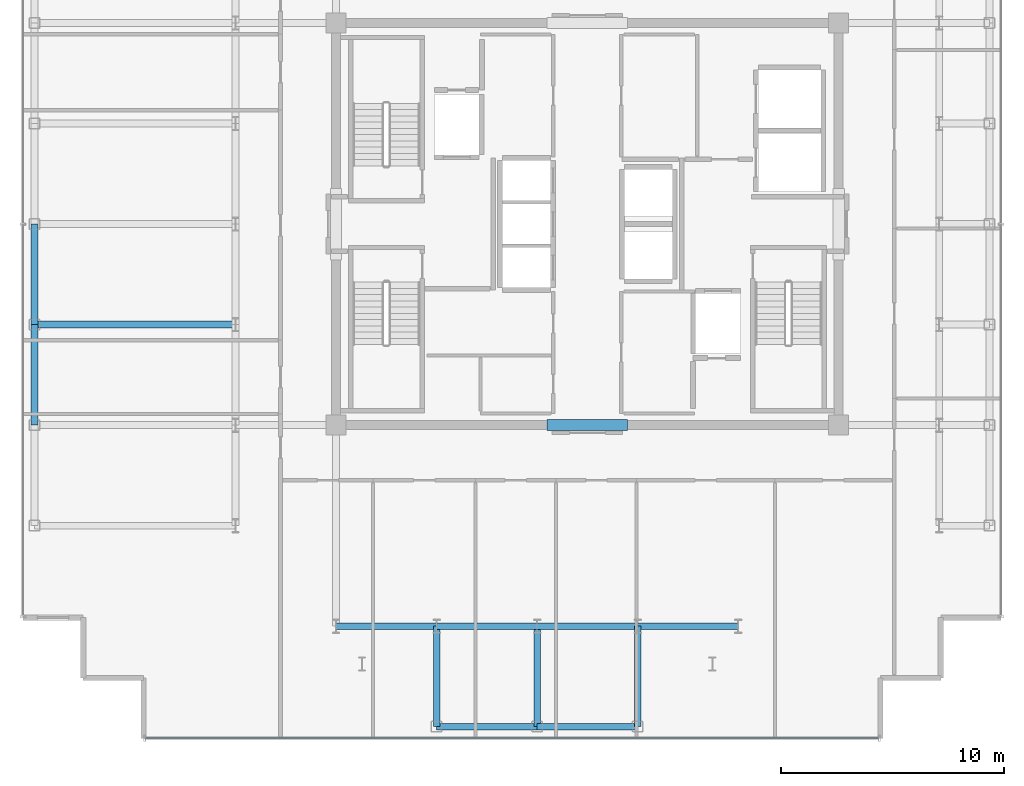
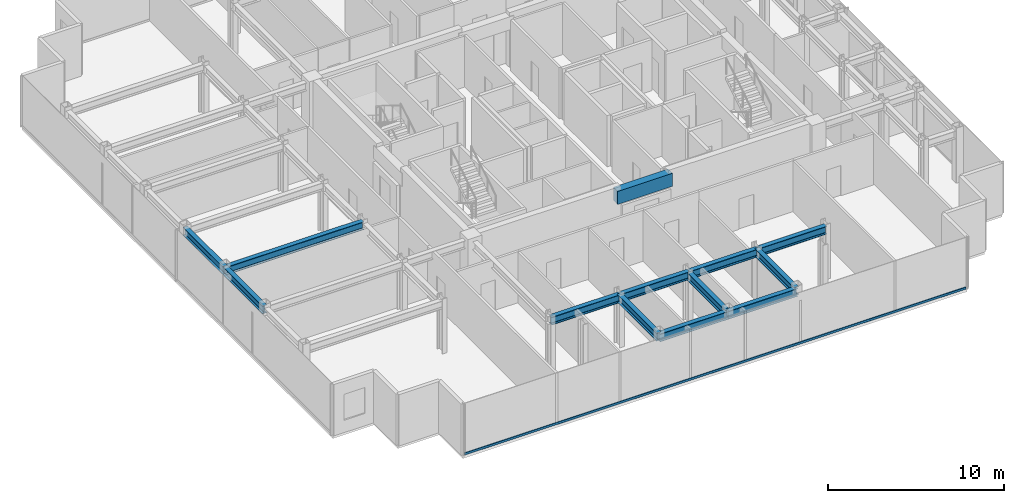
# One storey, part 3 of 17: 13 beams, 1 member, 1 element without a shape of its own.
"""IFC4 building model written with IfcOpenShell, lengths in metres."""

from ifc_helpers import new_model, si_unit, direction, frame, origin, origin_2d, place, context, subcontext, project, spatial, rectangle, hollow_rectangle, i_section, extrude, source, transform, mapped, material, layer, layer_set, material_profile, profile_set, type_object, element, aggregate, save


model = new_model("IFC4")

# Units and contexts
model_context = context("Model", 3, precision=1e-05, world=origin(), true_north=direction((0.0, 1.0)))
body_context = subcontext(model_context, "Body", "Model", "MODEL_VIEW")
ifc_project = project(units=[si_unit("LENGTHUNIT", "METRE"), si_unit("AREAUNIT", "SQUARE_METRE"), si_unit("VOLUMEUNIT", "CUBIC_METRE"), si_unit("PLANEANGLEUNIT", "RADIAN"), si_unit("MASSUNIT", "GRAM", prefix="KILO")], contexts=[model_context])

# Site, building, storey
site_placement = place(None, origin())
site = spatial("IfcSite", under=ifc_project, at=site_placement, CompositionType="ELEMENT")
building_placement = place(site_placement, origin())
building = spatial("IfcBuilding", under=site, at=building_placement, Name="Nefas-Gora Pilgrimage Tower", CompositionType="ELEMENT")
storey_placement = place(building_placement, frame((0.0, 0.0, 341.39990234375)))
storey = spatial("IfcBuildingStorey", under=building, at=storey_placement, Name="L86", CompositionType="ELEMENT", Elevation=341.39990234375)

# Beams
ifc_material_1 = material(Name="Concrete C50/60", Category="concrete")
ifc_material_profile_1 = material_profile(ifc_material_1, rectangle(XDim=0.5, YDim=0.89990234375, at=origin_2d()), Name="RC 500x900")
ifc_profile_set_1 = profile_set([ifc_material_profile_1], Name="Concrete C50/60")
beam_type_1 = type_object("IfcBeamType", Name="BM-LIN-RC900", PredefinedType="LINTEL", material=ifc_profile_set_1)
shared_shape_1 = source(origin(), body_context, "Body", "SweptSolid", [
    extrude(rectangle(XDim=0.5, YDim=0.89990234375, at=origin_2d()), origin(), (0.0, 0.0, 1.0), 3.60009765625),
])
beam_1_placement = place(storey_placement, frame((-1.800048828125, -9.0, 3.10009765625), z_axis=(1.0, 0.0, 0.0), x_axis=(0.0, 1.0, 0.0)))
element("IfcBeam", 1, at=beam_1_placement, inside=storey, type_object=beam_type_1, Name="L86 Core Coupling Lintel Beam S", PredefinedType="LINTEL", context=body_context, shape_type="MappedRepresentation", body=[
    mapped(shared_shape_1, transform((0.0, 0.0, 0.0), x_axis=(1.0, 0.0, 0.0), y_axis=(0.0, 1.0, 0.0), z_axis=(0.0, 0.0, 1.0), scale=1.0)),
])
ifc_material_2 = material(Name="Steel S355", Category="steel")
ifc_material_profile_2 = material_profile(ifc_material_2, i_section(OverallWidth=0.300048828125, OverallDepth=0.550048828125, WebThickness=0.014892578125, FlangeThickness=0.029052734375, FilletRadius=0.027099609375, at=origin_2d()), Name="HEB 550")
ifc_profile_set_2 = profile_set([ifc_material_profile_2], Name="Steel S355")
beam_type_2 = type_object("IfcBeamType", Name="BM-SPN-HEB400", PredefinedType="SPANDREL", material=ifc_profile_set_2)
shared_shape_2 = source(origin(), body_context, "Body", "SweptSolid", [
    extrude(i_section(OverallWidth=0.300048828125, OverallDepth=0.550048828125, WebThickness=0.014892578125, FlangeThickness=0.029052734375, FilletRadius=0.027099609375, at=origin_2d()), origin(), (0.0, 0.0, 1.0), 4.5),
])
for number, where, z_axis, x_axis, name in (
    (2, (-24.75, -9.0, 3.275146484375), (0.0, 1.0, 0.0), (-1.0, 0.0, 0.0), "L86 SP-04 beam"),
    (3, (-24.75, -4.5, 3.275146484375), (0.0, 1.0, 0.0), (-1.0, 0.0, 0.0), "L86 SP-04 beam"),
    (4, (-6.75, -22.5, 3.275146484375), (1.0, 0.0, 0.0), (0.0, 1.0, 0.0), "L86 SP-04 beam"),
    (5, (-2.25, -22.5, 3.275146484375), (1.0, 0.0, 0.0), (0.0, 1.0, 0.0), "L86 SP-04 beam"),
):
    element("IfcBeam", number, at=place(storey_placement, frame(where, z_axis=z_axis, x_axis=x_axis)), inside=storey, type_object=beam_type_2, Name=name, PredefinedType="SPANDREL", context=body_context, shape_type="MappedRepresentation", body=[
        mapped(shared_shape_2, transform((0.0, 0.0, 0.0), x_axis=(1.0, 0.0, 0.0), y_axis=(0.0, 1.0, 0.0), z_axis=(0.0, 0.0, 1.0), scale=1.0)),
    ])
ifc_material_profile_3 = material_profile(ifc_material_2, i_section(OverallWidth=0.300048828125, OverallDepth=0.550048828125, WebThickness=0.014892578125, FlangeThickness=0.029052734375, FilletRadius=0.027099609375, at=origin_2d()), Name="HEB 550")
ifc_profile_set_3 = profile_set([ifc_material_profile_3], Name="Steel S355")
beam_type_3 = type_object("IfcBeamType", Name="BM-GIR-HEB550", PredefinedType="BEAM", material=ifc_profile_set_3)
shared_shape_3 = source(origin(), body_context, "Body", "SweptSolid", [
    extrude(i_section(OverallWidth=0.300048828125, OverallDepth=0.550048828125, WebThickness=0.014892578125, FlangeThickness=0.029052734375, FilletRadius=0.027099609375, at=origin_2d()), origin(), (0.0, 0.0, 1.0), 9.0),
])
beam_2_placement = place(storey_placement, frame((-24.75, -4.5, 3.275146484375), z_axis=(1.0, 0.0, 0.0), x_axis=(0.0, 1.0, 0.0)))
element("IfcBeam", 6, at=beam_2_placement, inside=storey, type_object=beam_type_3, Name="L86 G-05 beam", PredefinedType="BEAM", context=body_context, shape_type="MappedRepresentation", body=[
    mapped(shared_shape_3, transform((0.0, 0.0, 0.0), x_axis=(1.0, 0.0, 0.0), y_axis=(0.0, 1.0, 0.0), z_axis=(0.0, 0.0, 1.0), scale=1.0)),
])
shared_shape_4 = source(origin(), body_context, "Body", "SweptSolid", [
    extrude(i_section(OverallWidth=0.300048828125, OverallDepth=0.550048828125, WebThickness=0.014892578125, FlangeThickness=0.029052734375, FilletRadius=0.027099609375, at=origin_2d()), origin(), (0.0, 0.0, 1.0), 4.5),
])
for number, where, z_axis, x_axis, name in (
    (7, (-11.25, -18.0, 3.275146484375), (1.0, 0.0, 0.0), (0.0, 1.0, 0.0), "L86 G-05 beam"),
    (8, (-6.75, -22.5, 3.275146484375), (0.0, 1.0, 0.0), (-1.0, 0.0, 0.0), "L86 G-05 beam"),
    (9, (-6.75, -18.0, 3.275146484375), (1.0, 0.0, 0.0), (0.0, 1.0, 0.0), "L86 G-05 beam"),
    (10, (-2.25, -22.5, 3.275146484375), (0.0, 1.0, 0.0), (-1.0, 0.0, 0.0), "L86 G-05 beam"),
    (11, (-2.25, -18.0, 3.275146484375), (1.0, 0.0, 0.0), (0.0, 1.0, 0.0), "L86 G-05 beam"),
    (12, (2.25, -22.5, 3.275146484375), (0.0, 1.0, 0.0), (-1.0, 0.0, 0.0), "L86 G-05 beam"),
    (13, (2.25, -18.0, 3.275146484375), (1.0, 0.0, 0.0), (0.0, 1.0, 0.0), "L86 G-05 beam"),
):
    element("IfcBeam", number, at=place(storey_placement, frame(where, z_axis=z_axis, x_axis=x_axis)), inside=storey, type_object=beam_type_3, Name=name, PredefinedType="BEAM", context=body_context, shape_type="MappedRepresentation", body=[
        mapped(shared_shape_4, transform((0.0, 0.0, 0.0), x_axis=(1.0, 0.0, 0.0), y_axis=(0.0, 1.0, 0.0), z_axis=(0.0, 0.0, 1.0), scale=1.0)),
    ])

# Curtain wall, member
ifc_material_3 = material(Name="Dark ceramic-fritted solar-control aluminium-glass curtain wall", Category="aluminium")
ifc_layer = layer(ifc_material_3, 0.219970703125)
ifc_layer_set = layer_set([ifc_layer], Name="Dark ceramic-fritted solar-control aluminium-glass curtain wall")
curtain_wall_type = type_object("IfcCurtainWallType", Name="CW-SYS-4", PredefinedType="NOTDEFINED", material=ifc_layer_set)
curtain_wall_placement = place(storey_placement, origin())
curtain_wall = element("IfcCurtainWall", 14, at=curtain_wall_placement, inside=storey, type_object=curtain_wall_type, Name="L86 Unitised Curtain Wall CW4", PredefinedType="NOTDEFINED")
ifc_material_4 = material(Name="Anodised architectural aluminium", Category="aluminium")
ifc_material_profile_4 = material_profile(ifc_material_4, hollow_rectangle(XDim=0.080078125, YDim=0.159912109375, WallThickness=0.00439453125, InnerFilletRadius=0.00439453125, OuterFilletRadius=0.009033203125, at=origin_2d()), Name="ALU TRANSOM 80x160")
ifc_profile_set_4 = profile_set([ifc_material_profile_4], Name="Anodised architectural aluminium")
member_type = type_object("IfcMemberType", Name="CWM-TRN-4", PredefinedType="USERDEFINED", material=ifc_profile_set_4)
shared_shape_5 = source(origin(), body_context, "Body", "SweptSolid", [
    extrude(hollow_rectangle(XDim=0.080078125, YDim=0.159912109375, WallThickness=0.00439453125, InnerFilletRadius=0.00439453125, OuterFilletRadius=0.009033203125, at=origin_2d()), origin(), (0.0, 0.0, 1.0), 32.81005859375),
])
member_placement = place(storey_placement, frame((-19.780029296875, -23.02001953125, 0.050048828125), z_axis=(1.0, 0.0, 0.0), x_axis=(0.0, 1.0, 0.0)))
member = element("IfcMember", 15, at=member_placement, type_object=member_type, Name="CW4 Spandrel Transom", ObjectType="TRANSOM", PredefinedType="USERDEFINED", context=body_context, shape_type="MappedRepresentation", body=[
    mapped(shared_shape_5, transform((0.0, 0.0, 0.0), x_axis=(1.0, 0.0, 0.0), y_axis=(0.0, 1.0, 0.0), z_axis=(0.0, 0.0, 1.0), scale=1.0)),
])
aggregate(curtain_wall, [member])

save(model, "model.ifc")
